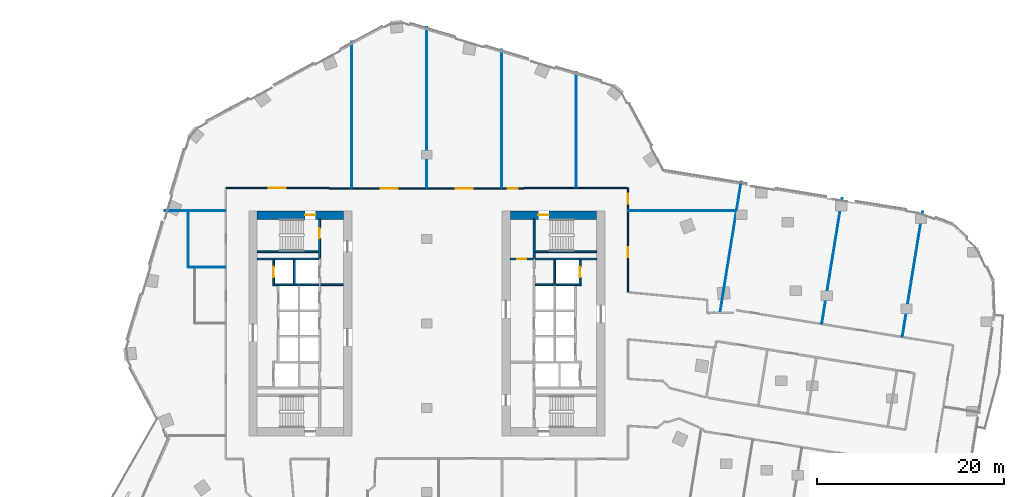
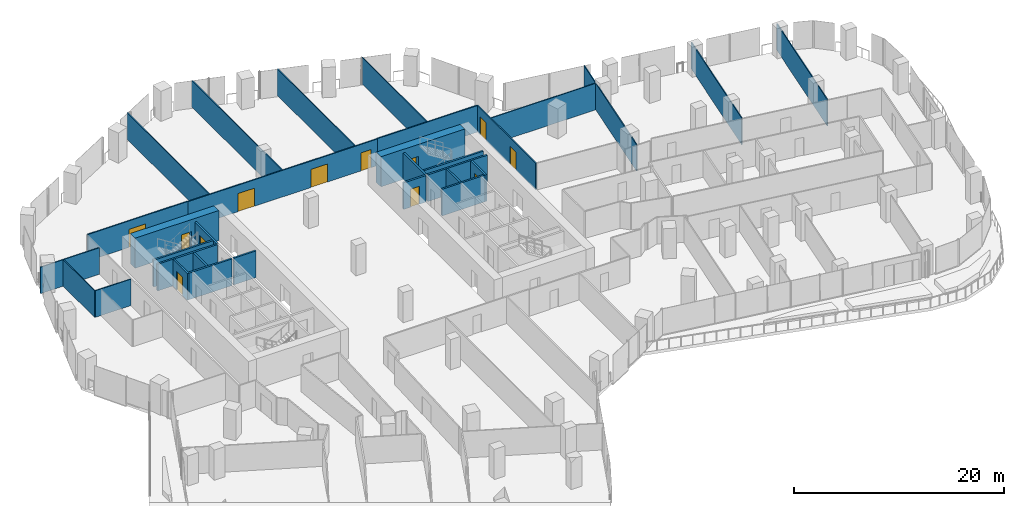
# One storey, part 27 of 32: 31 walls, 12 doors, 12 openings.
"""IFC4 building model written with IfcOpenShell, lengths in metres."""

from ifc_helpers import new_model, si_unit, direction, frame, frame_2d, origin, place, context, subcontext, project, spatial, rectangle, extrude, material, layer, layer_set, type_object, element, fill, save


model = new_model("IFC4")

# Units and contexts
model_context = context("Model", 3, precision=1e-05, world=origin(), true_north=direction((0.0, 1.0)))
body_context = subcontext(model_context, "Body", "Model", "MODEL_VIEW")
ifc_project = project(units=[si_unit("LENGTHUNIT", "METRE"), si_unit("AREAUNIT", "SQUARE_METRE"), si_unit("VOLUMEUNIT", "CUBIC_METRE"), si_unit("PLANEANGLEUNIT", "RADIAN"), si_unit("MASSUNIT", "GRAM", prefix="KILO")], contexts=[model_context])

# Site, building, storey
site_placement = place(None, origin())
site = spatial("IfcSite", under=ifc_project, at=site_placement, CompositionType="ELEMENT")
building_placement = place(site_placement, origin())
building = spatial("IfcBuilding", under=site, at=building_placement, Name="Orlundy Tower", CompositionType="ELEMENT")
storey_placement = place(building_placement, frame((0.0, 0.0, 123.699951171875)))
storey = spatial("IfcBuildingStorey", under=building, at=storey_placement, Name="L31", CompositionType="ELEMENT", Elevation=123.699951171875)

# Wall, opening, door
ifc_material_1 = material(Name="Concrete C80/95", Category="concrete")
ifc_layer_1 = layer(ifc_material_1, 0.89990234375)
ifc_layer_set_1 = layer_set([ifc_layer_1], Name="CORE WALL 900 C80/95")
wall_type_1 = type_object("IfcWallType", Name="CORE WALL 900 C80/95", PredefinedType="SHEAR", material=ifc_layer_set_1)
wall_1_placement = place(storey_placement, frame((-18.10009765625, 11.550048828125, 0.0), z_axis=(0.0, 0.0, 1.0), x_axis=(1.0, 0.0, 0.0)))
wall_1 = element("IfcWall", 1, at=wall_1_placement, inside=storey, type_object=wall_type_1, Name="Core wall W-N L31", PredefinedType="SHEAR", context=body_context, shape_type="SweptSolid", body=[
    extrude(rectangle(XDim=9.2001953125, YDim=0.89990234375, at=frame_2d((4.60009765625, 0.0))), origin(), (0.0, 0.0, 1.0), 3.5),
])
opening_1_placement = place(wall_1_placement, frame((5.10009765625, 0.0, 0.0)))
opening_1 = element("IfcOpeningElement", 2, at=opening_1_placement, cuts=wall_1, Name="Opening 24012", PredefinedType="OPENING", context=body_context, shape_type="SweptSolid", body=[
    extrude(rectangle(XDim=1.10009765625, YDim=2.10009765625, at=frame_2d((0.550048828125, 1.050048828125))), frame((0.0, 0.4599609375, 0.0), z_axis=(0.0, -1.0, 0.0), x_axis=(1.0, 0.0, 0.0)), (0.0, 0.0, 1.0), 0.919921875),
])
ifc_material_2 = material(Name="Steel door set", Category="steel")
door_type_1 = type_object("IfcDoorType", Name="Stair Door 1100x2100", OperationType="SINGLE_SWING_LEFT", PredefinedType="DOOR", material=ifc_material_2)
door_1_placement = place(opening_1_placement, origin())
door_1 = element("IfcDoor", 3, at=door_1_placement, inside=storey, type_object=door_type_1, Name="Stair door 24012", OperationType="SINGLE_SWING_RIGHT", OverallHeight=2.10009765625, OverallWidth=1.10009765625, PredefinedType="DOOR", context=body_context, shape_type="SweptSolid", body=[
    extrude(rectangle(XDim=1.10009765625, YDim=2.10009765625, at=frame_2d((0.550048828125, 1.050048828125))), frame((0.0, 0.02490234375, 0.0), z_axis=(0.0, -1.0, 0.0), x_axis=(1.0, 0.0, 0.0)), (0.0, 0.0, 1.0), 0.050048828125),
])
fill(opening_1, door_1)

wall_2_placement = place(storey_placement, frame((8.89990234375, 11.550048828125, 0.0), z_axis=(0.0, 0.0, 1.0), x_axis=(1.0, 0.0, 0.0)))
wall_2 = element("IfcWall", 4, at=wall_2_placement, inside=storey, type_object=wall_type_1, Name="Core wall E-N L31", PredefinedType="SHEAR", context=body_context, shape_type="SweptSolid", body=[
    extrude(rectangle(XDim=9.2001953125, YDim=0.89990234375, at=frame_2d((4.60009765625, 0.0))), origin(), (0.0, 0.0, 1.0), 3.5),
])
opening_2_placement = place(wall_2_placement, frame((3.0, 0.0, 0.0)))
opening_2 = element("IfcOpeningElement", 5, at=opening_2_placement, cuts=wall_2, Name="Opening 24062", PredefinedType="OPENING", context=body_context, shape_type="SweptSolid", body=[
    extrude(rectangle(XDim=1.10009765625, YDim=2.10009765625, at=frame_2d((0.550048828125, 1.050048828125))), frame((0.0, 0.4599609375, 0.0), z_axis=(0.0, -1.0, 0.0), x_axis=(1.0, 0.0, 0.0)), (0.0, 0.0, 1.0), 0.919921875),
])
door_2_placement = place(opening_2_placement, origin())
door_2 = element("IfcDoor", 6, at=door_2_placement, inside=storey, type_object=door_type_1, Name="Stair door 24062", OperationType="SINGLE_SWING_LEFT", OverallHeight=2.10009765625, OverallWidth=1.10009765625, PredefinedType="DOOR", context=body_context, shape_type="SweptSolid", body=[
    extrude(rectangle(XDim=1.10009765625, YDim=2.10009765625, at=frame_2d((0.550048828125, 1.050048828125))), frame((0.0, 0.02490234375, 0.0), z_axis=(0.0, -1.0, 0.0), x_axis=(1.0, 0.0, 0.0)), (0.0, 0.0, 1.0), 0.050048828125),
])
fill(opening_2, door_2)

# Walls
ifc_material_3 = material(Name="Gypsum board partition")
ifc_layer_2 = layer(ifc_material_3, 0.10009765625)
ifc_layer_set_2 = layer_set([ifc_layer_2], Name="Floor partition 100")
wall_type_2 = type_object("IfcWallType", Name="Floor partition 100", PredefinedType="PARTITIONING", material=ifc_layer_set_2)
wall_3_placement = place(storey_placement, frame((-25.39794921875, 6.0009765625, 0.0), z_axis=(0.0, 0.0, 1.0), x_axis=(1.0, 0.0, 0.0)))
element("IfcWall", 7, at=wall_3_placement, inside=storey, type_object=wall_type_2, Name="wall-int-L31-043", PredefinedType="PARTITIONING", context=body_context, shape_type="SweptSolid", body=[
    extrude(rectangle(XDim=3.885986328125, YDim=0.10009765625, at=frame_2d((1.94287109375, 0.0))), origin(), (0.0, 0.0, 1.0), 3.080078125),
])
wall_4_placement = place(storey_placement, frame((-27.98388671875, 12.0, 0.0), z_axis=(0.0, 0.0, 1.0), x_axis=(1.0, 0.0, 0.0)))
element("IfcWall", 8, at=wall_4_placement, inside=storey, type_object=wall_type_2, Name="wall-int-L31-044", PredefinedType="PARTITIONING", context=body_context, shape_type="SweptSolid", body=[
    extrude(rectangle(XDim=6.471923828125, YDim=0.10009765625, at=frame_2d((3.23583984375, 0.0))), origin(), (0.0, 0.0, 1.0), 3.080078125),
])
wall_5_placement = place(storey_placement, frame((21.511962890625, 12.0, 0.0), z_axis=(0.0, 0.0, 1.0), x_axis=(1.0, 0.0, 0.0)))
element("IfcWall", 9, at=wall_5_placement, inside=storey, type_object=wall_type_2, Name="wall-int-L31-045", PredefinedType="PARTITIONING", context=body_context, shape_type="SweptSolid", body=[
    extrude(rectangle(XDim=11.465087890625, YDim=0.10009765625, at=frame_2d((5.732421875, 0.0))), origin(), (0.0, 0.0, 1.0), 3.080078125),
])
wall_6_placement = place(storey_placement, frame((50.72705078125, -1.385009765625, 0.0), z_axis=(0.0, 0.0, 1.0), x_axis=(0.159328091928, 0.987225688038, 0.0)))
element("IfcWall", 10, at=wall_6_placement, inside=storey, type_object=wall_type_2, Name="wall-int-L31-070", PredefinedType="PARTITIONING", context=body_context, shape_type="SweptSolid", body=[
    extrude(rectangle(XDim=13.481201171875, YDim=0.10009765625, at=frame_2d((6.74072265625, 0.0))), origin(), (0.0, 0.0, 1.0), 3.080078125),
])
wall_7_placement = place(storey_placement, frame((42.137939453125, 0.0, 0.0), z_axis=(0.0, 0.0, 1.0), x_axis=(0.159340172949, 0.98722373821, 0.0)))
element("IfcWall", 11, at=wall_7_placement, inside=storey, type_object=wall_type_2, Name="wall-int-L31-073", PredefinedType="PARTITIONING", context=body_context, shape_type="SweptSolid", body=[
    extrude(rectangle(XDim=13.536865234375, YDim=0.10009765625, at=frame_2d((6.7685546875, 0.0))), origin(), (0.0, 0.0, 1.0), 3.080078125),
])
wall_8_placement = place(storey_placement, frame((31.284912109375, 1.2060546875, 0.0), z_axis=(0.0, 0.0, 1.0), x_axis=(0.159373138674, 0.987218416901, 0.0)))
element("IfcWall", 12, at=wall_8_placement, inside=storey, type_object=wall_type_2, Name="wall-int-L31-078", PredefinedType="PARTITIONING", context=body_context, shape_type="SweptSolid", body=[
    extrude(rectangle(XDim=14.074951171875, YDim=0.10009765625, at=frame_2d((7.03759765625, 0.0))), origin(), (0.0, 0.0, 1.0), 3.080078125),
])
wall_9_placement = place(storey_placement, frame((15.9208984375, 14.513916015625, 0.0), z_axis=(0.0, 0.0, 1.0), x_axis=(0.0, 1.0, 0.0)))
element("IfcWall", 13, at=wall_9_placement, inside=storey, type_object=wall_type_2, Name="wall-int-L31-091", PredefinedType="PARTITIONING", context=body_context, shape_type="SweptSolid", body=[
    extrude(rectangle(XDim=12.296142578125, YDim=0.10009765625, at=frame_2d((6.14794921875, 0.0))), origin(), (0.0, 0.0, 1.0), 3.080078125),
])
wall_10_placement = place(storey_placement, frame((8.0, 14.462890625, 0.0), z_axis=(0.0, 0.0, 1.0), x_axis=(0.0, 1.0, 0.0)))
element("IfcWall", 14, at=wall_10_placement, inside=storey, type_object=wall_type_2, Name="wall-int-L31-093", PredefinedType="PARTITIONING", context=body_context, shape_type="SweptSolid", body=[
    extrude(rectangle(XDim=14.718994140625, YDim=0.10009765625, at=frame_2d((7.359375, 0.0))), origin(), (0.0, 0.0, 1.0), 3.080078125),
])
wall_11_placement = place(storey_placement, frame((0.0, 14.462890625, 0.0), z_axis=(0.0, 0.0, 1.0), x_axis=(0.0, 1.0, 0.0)))
element("IfcWall", 15, at=wall_11_placement, inside=storey, type_object=wall_type_2, Name="wall-int-L31-095", PredefinedType="PARTITIONING", context=body_context, shape_type="SweptSolid", body=[
    extrude(rectangle(XDim=17.114013671875, YDim=0.10009765625, at=frame_2d((8.55712890625, 0.0))), origin(), (0.0, 0.0, 1.0), 3.080078125),
])
wall_12_placement = place(storey_placement, frame((-8.0, 14.462890625, 0.0), z_axis=(0.0, 0.0, 1.0), x_axis=(0.0, 1.0, 0.0)))
element("IfcWall", 16, at=wall_12_placement, inside=storey, type_object=wall_type_2, Name="wall-int-L31-096", PredefinedType="PARTITIONING", context=body_context, shape_type="SweptSolid", body=[
    extrude(rectangle(XDim=15.591064453125, YDim=0.10009765625, at=frame_2d((7.79541015625, 0.0))), origin(), (0.0, 0.0, 1.0), 3.080078125),
])
wall_13_placement = place(storey_placement, frame((-25.447998046875, 6.0009765625, 0.0), z_axis=(0.0, 0.0, 1.0), x_axis=(0.0, 1.0, 0.0)))
element("IfcWall", 17, at=wall_13_placement, inside=storey, type_object=wall_type_2, Name="wall-int-L31-099", PredefinedType="PARTITIONING", context=body_context, shape_type="SweptSolid", body=[
    extrude(rectangle(XDim=5.948974609375, YDim=0.10009765625, at=frame_2d((2.974609375, 0.0))), origin(), (0.0, 0.0, 1.0), 3.080078125),
])

# Wall, openings, doors
ifc_material_4 = material(Name="Gypsum board partition, double layer")
ifc_layer_3 = layer(ifc_material_4, 0.125)
ifc_layer_set_3 = layer_set([ifc_layer_3], Name="Floor partition 125")
wall_type_3 = type_object("IfcWallType", Name="Floor partition 125", PredefinedType="PARTITIONING", material=ifc_layer_set_3)
wall_14_placement = place(storey_placement, frame((-10.389892578125, 14.40087890625, 0.0), z_axis=(0.0, 0.0, 1.0), x_axis=(1.0, 0.0, 0.0)))
wall_14 = element("IfcWall", 18, at=wall_14_placement, inside=storey, type_object=wall_type_3, Name="wall-int-L31-046", PredefinedType="PARTITIONING", context=body_context, shape_type="SweptSolid", body=[
    extrude(rectangle(XDim=20.781005859375, YDim=0.125, at=frame_2d((10.390625, 0.0))), origin(), (0.0, 0.0, 1.0), 3.080078125),
])
opening_3_placement = place(wall_14_placement, frame((18.989990234375, 0.0, 0.0)))
opening_3 = element("IfcOpeningElement", 19, at=opening_3_placement, cuts=wall_14, Name="Opening 24131", PredefinedType="OPENING", context=body_context, shape_type="SweptSolid", body=[
    extrude(rectangle(XDim=1.10009765625, YDim=2.10009765625, at=frame_2d((0.550048828125, 1.050048828125))), frame((0.0, 0.072509765625, 0.0), z_axis=(0.0, -1.0, 0.0), x_axis=(1.0, 0.0, 0.0)), (0.0, 0.0, 1.0), 0.14501953125),
])
opening_4_placement = place(wall_14_placement, frame((13.489990234375, 0.0, 0.0)))
opening_4 = element("IfcOpeningElement", 20, at=opening_4_placement, cuts=wall_14, Name="Opening 24132", PredefinedType="OPENING", context=body_context, shape_type="SweptSolid", body=[
    extrude(rectangle(XDim=1.800048828125, YDim=2.10009765625, at=frame_2d((0.89990234375, 1.050048828125))), frame((0.0, 0.072509765625, 0.0), z_axis=(0.0, -1.0, 0.0), x_axis=(1.0, 0.0, 0.0)), (0.0, 0.0, 1.0), 0.14501953125),
])
opening_5_placement = place(wall_14_placement, frame((5.489990234375, 0.0, 0.0)))
opening_5 = element("IfcOpeningElement", 21, at=opening_5_placement, cuts=wall_14, Name="Opening 24133", PredefinedType="OPENING", context=body_context, shape_type="SweptSolid", body=[
    extrude(rectangle(XDim=1.800048828125, YDim=2.10009765625, at=frame_2d((0.89990234375, 1.050048828125))), frame((0.0, 0.072509765625, 0.0), z_axis=(0.0, -1.0, 0.0), x_axis=(1.0, 0.0, 0.0)), (0.0, 0.0, 1.0), 0.14501953125),
])
ifc_material_5 = material(Name="Timber door leaf", Category="wood")
door_type_2 = type_object("IfcDoorType", Name="Floor door double 1800 FD30S", OperationType="NOTDEFINED", PredefinedType="DOOR", material=ifc_material_5)
door_3_placement = place(opening_4_placement, origin())
door_3 = element("IfcDoor", 22, at=door_3_placement, inside=storey, type_object=door_type_2, Name="Door 24132", OperationType="DOUBLE_DOOR_SINGLE_SWING", OverallHeight=2.10009765625, OverallWidth=1.800048828125, PredefinedType="DOOR", context=body_context, shape_type="SweptSolid", body=[
    extrude(rectangle(XDim=1.800048828125, YDim=2.10009765625, at=frame_2d((0.89990234375, 1.050048828125))), frame((0.0, 0.02490234375, 0.0), z_axis=(0.0, -1.0, 0.0), x_axis=(1.0, 0.0, 0.0)), (0.0, 0.0, 1.0), 0.050048828125),
])
fill(opening_4, door_3)
door_4_placement = place(opening_5_placement, origin())
door_4 = element("IfcDoor", 23, at=door_4_placement, inside=storey, type_object=door_type_2, Name="Door 24133", OperationType="DOUBLE_DOOR_SINGLE_SWING", OverallHeight=2.10009765625, OverallWidth=1.800048828125, PredefinedType="DOOR", context=body_context, shape_type="SweptSolid", body=[
    extrude(rectangle(XDim=1.800048828125, YDim=2.10009765625, at=frame_2d((0.89990234375, 1.050048828125))), frame((0.0, 0.02490234375, 0.0), z_axis=(0.0, -1.0, 0.0), x_axis=(1.0, 0.0, 0.0)), (0.0, 0.0, 1.0), 0.050048828125),
])
fill(opening_5, door_4)
ifc_material_6 = material(Name="Timber door leaf", Category="wood")
door_type_3 = type_object("IfcDoorType", Name="Floor door xwide 1100 FD30S", OperationType="NOTDEFINED", PredefinedType="DOOR", material=ifc_material_6)
door_5_placement = place(opening_3_placement, origin())
door_5 = element("IfcDoor", 24, at=door_5_placement, inside=storey, type_object=door_type_3, Name="Door 24131", OperationType="SINGLE_SWING_RIGHT", OverallHeight=2.10009765625, OverallWidth=1.10009765625, PredefinedType="DOOR", context=body_context, shape_type="SweptSolid", body=[
    extrude(rectangle(XDim=1.10009765625, YDim=2.10009765625, at=frame_2d((0.550048828125, 1.050048828125))), frame((0.0, 0.02490234375, 0.0), z_axis=(0.0, -1.0, 0.0), x_axis=(1.0, 0.0, 0.0)), (0.0, 0.0, 1.0), 0.050048828125),
])
fill(opening_3, door_5)

# Wall, opening, door
wall_15_placement = place(storey_placement, frame((-21.386962890625, 14.450927734375, 0.0), z_axis=(0.0, 0.0, 1.0), x_axis=(1.0, 0.0, 0.0)))
wall_15 = element("IfcWall", 25, at=wall_15_placement, inside=storey, type_object=wall_type_3, Name="wall-int-L31-047", PredefinedType="PARTITIONING", context=body_context, shape_type="SweptSolid", body=[
    extrude(rectangle(XDim=10.995849609375, YDim=0.125, at=frame_2d((5.498046875, 0.0))), origin(), (0.0, 0.0, 1.0), 3.080078125),
])
opening_6_placement = place(wall_15_placement, frame((4.53759765625, 0.0, 0.0)))
opening_6 = element("IfcOpeningElement", 26, at=opening_6_placement, cuts=wall_15, Name="Opening 24134", PredefinedType="OPENING", context=body_context, shape_type="SweptSolid", body=[
    extrude(rectangle(XDim=1.800048828125, YDim=2.10009765625, at=frame_2d((0.89990234375, 1.050048828125))), frame((0.0, 0.072509765625, 0.0), z_axis=(0.0, -1.0, 0.0), x_axis=(1.0, 0.0, 0.0)), (0.0, 0.0, 1.0), 0.14501953125),
])
door_6_placement = place(opening_6_placement, origin())
door_6 = element("IfcDoor", 27, at=door_6_placement, inside=storey, type_object=door_type_2, Name="Door 24134", OperationType="DOUBLE_DOOR_SINGLE_SWING", OverallHeight=2.10009765625, OverallWidth=1.800048828125, PredefinedType="DOOR", context=body_context, shape_type="SweptSolid", body=[
    extrude(rectangle(XDim=1.800048828125, YDim=2.10009765625, at=frame_2d((0.89990234375, 1.050048828125))), frame((0.0, 0.02490234375, 0.0), z_axis=(0.0, -1.0, 0.0), x_axis=(1.0, 0.0, 0.0)), (0.0, 0.0, 1.0), 0.050048828125),
])
fill(opening_6, door_6)

# Wall
wall_16_placement = place(storey_placement, frame((10.39111328125, 14.450927734375, 0.0), z_axis=(0.0, 0.0, 1.0), x_axis=(1.0, 0.0, 0.0)))
element("IfcWall", 28, at=wall_16_placement, inside=storey, type_object=wall_type_3, Name="wall-int-L31-048", PredefinedType="PARTITIONING", context=body_context, shape_type="SweptSolid", body=[
    extrude(rectangle(XDim=10.995849609375, YDim=0.125, at=frame_2d((5.498046875, 0.0))), origin(), (0.0, 0.0, 1.0), 3.080078125),
])

# Wall, openings, doors
wall_17_placement = place(storey_placement, frame((21.449951171875, 14.450927734375, 0.0), z_axis=(0.0, 0.0, 1.0), x_axis=(0.0, -1.0, 0.0)))
wall_17 = element("IfcWall", 29, at=wall_17_placement, inside=storey, type_object=wall_type_3, Name="wall-int-L31-089", PredefinedType="PARTITIONING", context=body_context, shape_type="SweptSolid", body=[
    extrude(rectangle(XDim=11.118896484375, YDim=0.125, at=frame_2d((5.5595703125, 0.0))), origin(), (0.0, 0.0, 1.0), 3.080078125),
])
opening_7_placement = place(wall_17_placement, frame((6.301025390625, 0.0, 0.0)))
opening_7 = element("IfcOpeningElement", 30, at=opening_7_placement, cuts=wall_17, Name="Opening 24129", PredefinedType="OPENING", context=body_context, shape_type="SweptSolid", body=[
    extrude(rectangle(XDim=1.10009765625, YDim=2.10009765625, at=frame_2d((0.550048828125, 1.050048828125))), frame((0.0, 0.072509765625, 0.0), z_axis=(0.0, -1.0, 0.0), x_axis=(1.0, 0.0, 0.0)), (0.0, 0.0, 1.0), 0.14501953125),
])
opening_8_placement = place(wall_17_placement, frame((0.60009765625, 0.0, 0.0)))
opening_8 = element("IfcOpeningElement", 31, at=opening_8_placement, cuts=wall_17, Name="Opening 24130", PredefinedType="OPENING", context=body_context, shape_type="SweptSolid", body=[
    extrude(rectangle(XDim=1.10009765625, YDim=2.10009765625, at=frame_2d((0.550048828125, 1.050048828125))), frame((0.0, 0.072509765625, 0.0), z_axis=(0.0, -1.0, 0.0), x_axis=(1.0, 0.0, 0.0)), (0.0, 0.0, 1.0), 0.14501953125),
])
door_7_placement = place(opening_7_placement, origin())
door_7 = element("IfcDoor", 32, at=door_7_placement, inside=storey, type_object=door_type_3, Name="Door 24129", OperationType="SINGLE_SWING_RIGHT", OverallHeight=2.10009765625, OverallWidth=1.10009765625, PredefinedType="DOOR", context=body_context, shape_type="SweptSolid", body=[
    extrude(rectangle(XDim=1.10009765625, YDim=2.10009765625, at=frame_2d((0.550048828125, 1.050048828125))), frame((0.0, 0.02490234375, 0.0), z_axis=(0.0, -1.0, 0.0), x_axis=(1.0, 0.0, 0.0)), (0.0, 0.0, 1.0), 0.050048828125),
])
fill(opening_7, door_7)
door_8_placement = place(opening_8_placement, origin())
door_8 = element("IfcDoor", 33, at=door_8_placement, inside=storey, type_object=door_type_3, Name="Door 24130", OperationType="SINGLE_SWING_LEFT", OverallHeight=2.10009765625, OverallWidth=1.10009765625, PredefinedType="DOOR", context=body_context, shape_type="SweptSolid", body=[
    extrude(rectangle(XDim=1.10009765625, YDim=2.10009765625, at=frame_2d((0.550048828125, 1.050048828125))), frame((0.0, 0.02490234375, 0.0), z_axis=(0.0, -1.0, 0.0), x_axis=(1.0, 0.0, 0.0)), (0.0, 0.0, 1.0), 0.050048828125),
])
fill(opening_8, door_8)

# Wall, opening, door
ifc_material_7 = material(Name="Concrete C40/50", Category="concrete")
ifc_layer_4 = layer(ifc_material_7, 0.199951171875)
ifc_layer_set_4 = layer_set([ifc_layer_4], Name="Load-bearing Shaft Wall 200")
wall_type_4 = type_object("IfcWallType", Name="Load-bearing Shaft Wall 200", PredefinedType="SOLIDWALL", material=ifc_layer_set_4)
wall_18_placement = place(storey_placement, frame((-11.43994140625, 6.97509765625, 0.0), z_axis=(0.0, 0.0, 1.0), x_axis=(0.0, 1.0, 0.0)))
wall_18 = element("IfcWall", 34, at=wall_18_placement, inside=storey, type_object=wall_type_4, Name="Shaft wall W24-stair-end-n", PredefinedType="SOLIDWALL", context=body_context, shape_type="SweptSolid", body=[
    extrude(rectangle(XDim=4.125, YDim=0.199951171875, at=frame_2d((2.0625, 0.0))), origin(), (0.0, 0.0, 1.0), 3.090087890625),
])
opening_9_placement = place(wall_18_placement, frame((2.10009765625, 0.0, 0.0)))
opening_9 = element("IfcOpeningElement", 35, at=opening_9_placement, cuts=wall_18, Name="Opening 24014", PredefinedType="OPENING", context=body_context, shape_type="SweptSolid", body=[
    extrude(rectangle(XDim=1.10009765625, YDim=2.10009765625, at=frame_2d((0.550048828125, 1.050048828125))), frame((0.0, 0.110107421875, 0.0), z_axis=(0.0, -1.0, 0.0), x_axis=(1.0, 0.0, 0.0)), (0.0, 0.0, 1.0), 0.22021484375),
])
ifc_material_8 = material(Name="Steel door set", Category="steel")
door_type_4 = type_object("IfcDoorType", Name="Fire-fighting Lobby Door 1100x2100", OperationType="SINGLE_SWING_LEFT", PredefinedType="DOOR", material=ifc_material_8)
door_9_placement = place(opening_9_placement, origin())
door_9 = element("IfcDoor", 36, at=door_9_placement, inside=storey, type_object=door_type_4, Name="Fire-fighting lobby to stair door 24014", OperationType="SINGLE_SWING_RIGHT", OverallHeight=2.10009765625, OverallWidth=1.10009765625, PredefinedType="DOOR", context=body_context, shape_type="SweptSolid", body=[
    extrude(rectangle(XDim=1.10009765625, YDim=2.10009765625, at=frame_2d((0.550048828125, 1.050048828125))), frame((0.0, 0.02490234375, 0.0), z_axis=(0.0, -1.0, 0.0), x_axis=(1.0, 0.0, 0.0)), (0.0, 0.0, 1.0), 0.050048828125),
])
fill(opening_9, door_9)

# Walls
wall_19_placement = place(storey_placement, frame((-11.5400390625, 7.64990234375, 0.0), z_axis=(0.0, 0.0, 1.0), x_axis=(-1.0, 0.0, 0.0)))
element("IfcWall", 37, at=wall_19_placement, inside=storey, type_object=wall_type_4, Name="Shaft wall W24-stair-side-n", PredefinedType="SOLIDWALL", context=body_context, shape_type="SweptSolid", body=[
    extrude(rectangle(XDim=6.56005859375, YDim=0.199951171875, at=frame_2d((3.280029296875, 0.0))), origin(), (0.0, 0.0, 1.0), 3.090087890625),
])
wall_20_placement = place(storey_placement, frame((11.43994140625, 11.10009765625, 0.0), z_axis=(0.0, 0.0, 1.0), x_axis=(0.0, -1.0, 0.0)))
element("IfcWall", 38, at=wall_20_placement, inside=storey, type_object=wall_type_4, Name="Shaft wall E24-stair-end-s", PredefinedType="SOLIDWALL", context=body_context, shape_type="SweptSolid", body=[
    extrude(rectangle(XDim=4.125, YDim=0.199951171875, at=frame_2d((2.0625, 0.0))), origin(), (0.0, 0.0, 1.0), 3.090087890625),
])
wall_21_placement = place(storey_placement, frame((11.5400390625, 7.64990234375, 0.0), z_axis=(0.0, 0.0, 1.0), x_axis=(1.0, 0.0, 0.0)))
element("IfcWall", 39, at=wall_21_placement, inside=storey, type_object=wall_type_4, Name="Shaft wall E24-stair-side-s", PredefinedType="SOLIDWALL", context=body_context, shape_type="SweptSolid", body=[
    extrude(rectangle(XDim=6.56005859375, YDim=0.199951171875, at=frame_2d((3.280029296875, 0.0))), origin(), (0.0, 0.0, 1.0), 3.090087890625),
])
ifc_material_9 = material(Name="Gypsum board partition on steel studs", Category="steel")
ifc_layer_5 = layer(ifc_material_9, 0.199951171875)
ifc_layer_set_5 = layer_set([ifc_layer_5], Name="Partition 200")
wall_type_5 = type_object("IfcWallType", Name="Partition 200", PredefinedType="PARTITIONING", material=ifc_layer_set_5)
wall_22_placement = place(storey_placement, frame((-8.89990234375, 4.125, 0.0), z_axis=(0.0, 0.0, 1.0), x_axis=(-1.0, 0.0, 0.0)))
element("IfcWall", 40, at=wall_22_placement, inside=storey, type_object=wall_type_5, Name="Partition wall W24-lobby-n", PredefinedType="PARTITIONING", context=body_context, shape_type="SweptSolid", body=[
    extrude(rectangle(XDim=2.440185546875, YDim=0.199951171875, at=frame_2d((1.22021484375, 0.0))), origin(), (0.0, 0.0, 1.0), 3.090087890625),
])

# Wall, opening, door
wall_23_placement = place(storey_placement, frame((8.89990234375, 6.875, 0.0), z_axis=(0.0, 0.0, 1.0), x_axis=(1.0, 0.0, 0.0)))
wall_23 = element("IfcWall", 41, at=wall_23_placement, inside=storey, type_object=wall_type_5, Name="Partition wall E24-end-s", PredefinedType="PARTITIONING", context=body_context, shape_type="SweptSolid", body=[
    extrude(rectangle(XDim=2.440185546875, YDim=0.199951171875, at=frame_2d((1.22021484375, 0.0))), origin(), (0.0, 0.0, 1.0), 3.090087890625),
])
opening_10_placement = place(wall_23_placement, frame((0.719970703125, 0.0, 0.0)))
opening_10 = element("IfcOpeningElement", 42, at=opening_10_placement, cuts=wall_23, Name="Opening 24064", PredefinedType="OPENING", context=body_context, shape_type="SweptSolid", body=[
    extrude(rectangle(XDim=1.0, YDim=2.10009765625, at=frame_2d((0.5, 1.050048828125))), frame((0.0, 0.110107421875, 0.0), z_axis=(0.0, -1.0, 0.0), x_axis=(1.0, 0.0, 0.0)), (0.0, 0.0, 1.0), 0.22021484375),
])
ifc_material_10 = material(Name="Timber door set", Category="wood")
door_type_5 = type_object("IfcDoorType", Name="Accessible Door 1000x2100", OperationType="SINGLE_SWING_LEFT", PredefinedType="DOOR", material=ifc_material_10)
door_10_placement = place(opening_10_placement, origin())
door_10 = element("IfcDoor", 43, at=door_10_placement, inside=storey, type_object=door_type_5, Name="Accessible WC door 24064", OperationType="SINGLE_SWING_RIGHT", OverallHeight=2.10009765625, OverallWidth=1.0, PredefinedType="DOOR", context=body_context, shape_type="SweptSolid", body=[
    extrude(rectangle(XDim=1.0, YDim=2.10009765625, at=frame_2d((0.5, 1.050048828125))), frame((0.0, 0.02490234375, 0.0), z_axis=(0.0, -1.0, 0.0), x_axis=(1.0, 0.0, 0.0)), (0.0, 0.0, 1.0), 0.050048828125),
])
fill(opening_10, door_10)

# Walls
ifc_material_11 = material(Name="Fire-rated blockwork shaft wall", Category="masonry")
ifc_layer_6 = layer(ifc_material_11, 0.199951171875)
ifc_layer_set_6 = layer_set([ifc_layer_6], Name="Shaft Wall 200")
wall_type_6 = type_object("IfcWallType", Name="Shaft Wall 200", PredefinedType="SOLIDWALL", material=ifc_layer_set_6)
wall_24_placement = place(storey_placement, frame((-11.5400390625, 6.875, 0.0), z_axis=(0.0, 0.0, 1.0), x_axis=(-1.0, 0.0, 0.0)))
element("IfcWall", 44, at=wall_24_placement, inside=storey, type_object=wall_type_6, Name="Shaft wall W24-zone-n", PredefinedType="SOLIDWALL", context=body_context, shape_type="SweptSolid", body=[
    extrude(rectangle(XDim=6.56005859375, YDim=0.199951171875, at=frame_2d((3.280029296875, 0.0))), origin(), (0.0, 0.0, 1.0), 3.090087890625),
])
wall_25_placement = place(storey_placement, frame((-11.5400390625, 4.125, 0.0), z_axis=(0.0, 0.0, 1.0), x_axis=(-1.0, 0.0, 0.0)))
element("IfcWall", 45, at=wall_25_placement, inside=storey, type_object=wall_type_6, Name="Shaft wall W24-cross+4.125", PredefinedType="SOLIDWALL", context=body_context, shape_type="SweptSolid", body=[
    extrude(rectangle(XDim=4.699951171875, YDim=0.199951171875, at=frame_2d((2.35009765625, 0.0))), origin(), (0.0, 0.0, 1.0), 3.090087890625),
])
wall_26_placement = place(storey_placement, frame((-14.139892578125, 4.22509765625, 0.0), z_axis=(0.0, 0.0, 1.0), x_axis=(0.0, 1.0, 0.0)))
element("IfcWall", 46, at=wall_26_placement, inside=storey, type_object=wall_type_6, Name="Shaft wall W24-mid-b", PredefinedType="SOLIDWALL", context=body_context, shape_type="SweptSolid", body=[
    extrude(rectangle(XDim=2.5498046875, YDim=0.199951171875, at=frame_2d((1.27490234375, 0.0))), origin(), (0.0, 0.0, 1.0), 3.090087890625),
])

# Wall, opening, door
wall_27_placement = place(storey_placement, frame((-16.340087890625, 4.02490234375, 0.0), z_axis=(0.0, 0.0, 1.0), x_axis=(0.0, 1.0, 0.0)))
wall_27 = element("IfcWall", 47, at=wall_27_placement, inside=storey, type_object=wall_type_6, Name="Shaft wall W24-front-o-c", PredefinedType="SOLIDWALL", context=body_context, shape_type="SweptSolid", body=[
    extrude(rectangle(XDim=2.75, YDim=0.199951171875, at=frame_2d((1.375, 0.0))), origin(), (0.0, 0.0, 1.0), 3.090087890625),
])
opening_11_placement = place(wall_27_placement, frame((0.925048828125, 0.0, 0.0)))
opening_11 = element("IfcOpeningElement", 48, at=opening_11_placement, cuts=wall_27, Name="Opening 24007", PredefinedType="OPENING", context=body_context, shape_type="SweptSolid", body=[
    extrude(rectangle(XDim=1.10009765625, YDim=2.10009765625, at=frame_2d((0.550048828125, 1.050048828125))), frame((0.0, 0.110107421875, 0.0), z_axis=(0.0, -1.0, 0.0), x_axis=(1.0, 0.0, 0.0)), (0.0, 0.0, 1.0), 0.22021484375),
])
ifc_material_12 = material(Name="Steel door set", Category="steel")
door_type_6 = type_object("IfcDoorType", Name="Landing Door 1100x2100", OperationType="DOUBLE_DOOR_SLIDING", PredefinedType="DOOR", material=ifc_material_12)
door_11_placement = place(opening_11_placement, origin())
door_11 = element("IfcDoor", 49, at=door_11_placement, inside=storey, type_object=door_type_6, Name="Lift landing door LP-04 24007", OperationType="DOUBLE_DOOR_SLIDING", OverallHeight=2.10009765625, OverallWidth=1.10009765625, PredefinedType="DOOR", context=body_context, shape_type="SweptSolid", body=[
    extrude(rectangle(XDim=1.10009765625, YDim=2.10009765625, at=frame_2d((0.550048828125, 1.050048828125))), frame((0.0, 0.02490234375, 0.0), z_axis=(0.0, -1.0, 0.0), x_axis=(1.0, 0.0, 0.0)), (0.0, 0.0, 1.0), 0.050048828125),
])
fill(opening_11, door_11)

# Walls
wall_28_placement = place(storey_placement, frame((11.5400390625, 6.875, 0.0), z_axis=(0.0, 0.0, 1.0), x_axis=(1.0, 0.0, 0.0)))
element("IfcWall", 50, at=wall_28_placement, inside=storey, type_object=wall_type_6, Name="Shaft wall E24-zone-s", PredefinedType="SOLIDWALL", context=body_context, shape_type="SweptSolid", body=[
    extrude(rectangle(XDim=6.56005859375, YDim=0.199951171875, at=frame_2d((3.280029296875, 0.0))), origin(), (0.0, 0.0, 1.0), 3.090087890625),
])
wall_29_placement = place(storey_placement, frame((11.5400390625, 4.125, 0.0), z_axis=(0.0, 0.0, 1.0), x_axis=(1.0, 0.0, 0.0)))
element("IfcWall", 51, at=wall_29_placement, inside=storey, type_object=wall_type_6, Name="Shaft wall E24-cross-4.125", PredefinedType="SOLIDWALL", context=body_context, shape_type="SweptSolid", body=[
    extrude(rectangle(XDim=4.699951171875, YDim=0.199951171875, at=frame_2d((2.35009765625, 0.0))), origin(), (0.0, 0.0, 1.0), 3.090087890625),
])
wall_30_placement = place(storey_placement, frame((13.639892578125, 6.77490234375, 0.0), z_axis=(0.0, 0.0, 1.0), x_axis=(0.0, -1.0, 0.0)))
element("IfcWall", 52, at=wall_30_placement, inside=storey, type_object=wall_type_6, Name="Shaft wall E24-mid-a", PredefinedType="SOLIDWALL", context=body_context, shape_type="SweptSolid", body=[
    extrude(rectangle(XDim=2.5498046875, YDim=0.199951171875, at=frame_2d((1.27490234375, 0.0))), origin(), (0.0, 0.0, 1.0), 3.090087890625),
])

# Wall, opening, door
wall_31_placement = place(storey_placement, frame((16.340087890625, 6.77490234375, 0.0), z_axis=(0.0, 0.0, 1.0), x_axis=(0.0, -1.0, 0.0)))
wall_31 = element("IfcWall", 53, at=wall_31_placement, inside=storey, type_object=wall_type_6, Name="Shaft wall E24-front-o-a", PredefinedType="SOLIDWALL", context=body_context, shape_type="SweptSolid", body=[
    extrude(rectangle(XDim=2.75, YDim=0.199951171875, at=frame_2d((1.375, 0.0))), origin(), (0.0, 0.0, 1.0), 3.090087890625),
])
opening_12_placement = place(wall_31_placement, frame((0.72509765625, 0.0, 0.0)))
opening_12 = element("IfcOpeningElement", 54, at=opening_12_placement, cuts=wall_31, Name="Opening 24050", PredefinedType="OPENING", context=body_context, shape_type="SweptSolid", body=[
    extrude(rectangle(XDim=1.10009765625, YDim=2.10009765625, at=frame_2d((0.550048828125, 1.050048828125))), frame((0.0, 0.110107421875, 0.0), z_axis=(0.0, -1.0, 0.0), x_axis=(1.0, 0.0, 0.0)), (0.0, 0.0, 1.0), 0.22021484375),
])
door_12_placement = place(opening_12_placement, origin())
door_12 = element("IfcDoor", 55, at=door_12_placement, inside=storey, type_object=door_type_6, Name="Lift landing door LV-02 24050", OperationType="DOUBLE_DOOR_SLIDING", OverallHeight=2.10009765625, OverallWidth=1.10009765625, PredefinedType="DOOR", context=body_context, shape_type="SweptSolid", body=[
    extrude(rectangle(XDim=1.10009765625, YDim=2.10009765625, at=frame_2d((0.550048828125, 1.050048828125))), frame((0.0, 0.02490234375, 0.0), z_axis=(0.0, -1.0, 0.0), x_axis=(1.0, 0.0, 0.0)), (0.0, 0.0, 1.0), 0.050048828125),
])
fill(opening_12, door_12)

save(model, "model.ifc")
